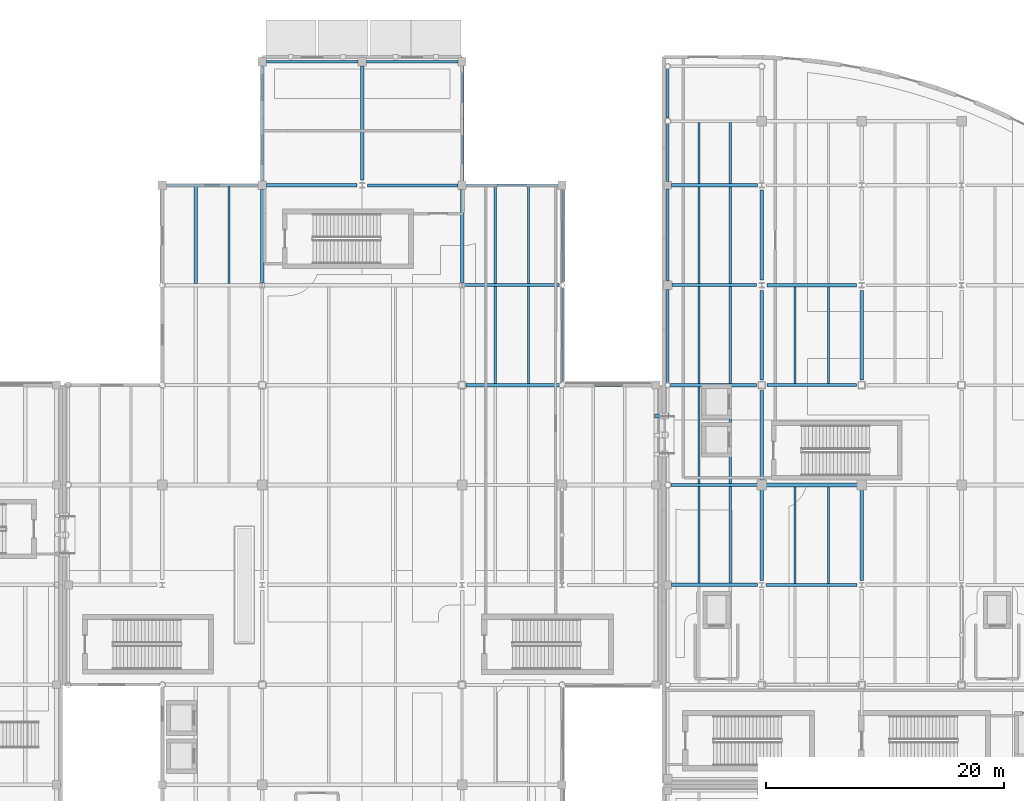
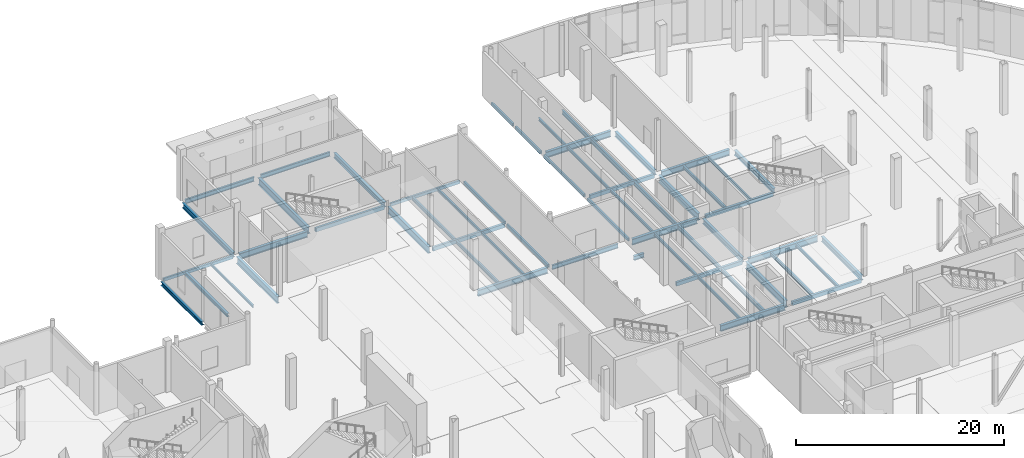
# One storey, part 23 of 85: 57 beams.
"""IFC4 building model written with IfcOpenShell, lengths in metres."""

from ifc_helpers import new_model, si_unit, direction, frame, origin, origin_2d, place, context, subcontext, project, spatial, hollow_rectangle, i_section, extrude, material, material_profile, profile_set, type_object, element, save


model = new_model("IFC4")

# Units and contexts
model_context = context("Model", 3, precision=1e-05, world=origin(), true_north=direction((0.0, 1.0)))
body_context = subcontext(model_context, "Body", "Model", "MODEL_VIEW")
ifc_project = project(units=[si_unit("LENGTHUNIT", "METRE"), si_unit("AREAUNIT", "SQUARE_METRE"), si_unit("VOLUMEUNIT", "CUBIC_METRE"), si_unit("PLANEANGLEUNIT", "RADIAN"), si_unit("MASSUNIT", "GRAM", prefix="KILO"), si_unit("THERMODYNAMICTEMPERATUREUNIT", "KELVIN")], contexts=[model_context])

# Site, building, storey
site_placement = place(None, origin())
site = spatial("IfcSite", under=ifc_project, at=site_placement, CompositionType="ELEMENT")
building_placement = place(site_placement, origin())
building = spatial("IfcBuilding", under=site, at=building_placement, Name="Lustrewick Department Store", CompositionType="ELEMENT")
storey_placement = place(building_placement, origin())
storey = spatial("IfcBuildingStorey", under=building, at=storey_placement, Name="L01", CompositionType="ELEMENT", Elevation=0.0)

# Beams
ifc_material_1 = material(Name="Structural steel Q355B", Category="steel")
ifc_material_profile_1 = material_profile(ifc_material_1, i_section(OverallWidth=0.199951171875, OverallDepth=0.5, WebThickness=0.010009765625, FlangeThickness=0.01611328125, FilletRadius=0.01611328125, at=origin_2d()), Name="HN 500x200x10x16")
ifc_profile_set_1 = profile_set([ifc_material_profile_1], Name="Structural steel Q355B")
beam_type_1 = type_object("IfcBeamType", Name="B01", PredefinedType="JOIST", material=ifc_profile_set_1)
for number, where, z_axis, x_axis, name in (
    (1, (114.966796875, 67.35009765625, -0.52001953125), (0.0, 1.0, 0.0), (-1.0, 0.0, 0.0), "L01 V4 Secondary Joist B01"),
    (2, (114.966796875, 75.72509765625, -0.52001953125), (0.0, 1.0, 0.0), (-1.0, 0.0, 0.0), "L01 V4 Secondary Joist B01"),
    (3, (114.966796875, 84.14990234375, -0.52001953125), (0.0, 1.0, 0.0), (-1.0, 0.0, 0.0), "L01 V4 Secondary Joist B01"),
):
    element("IfcBeam", number, at=place(storey_placement, frame(where, z_axis=z_axis, x_axis=x_axis)), inside=storey, type_object=beam_type_1, Name=name, PredefinedType="JOIST", context=body_context, shape_type="SweptSolid", body=[
        extrude(i_section(OverallWidth=0.199951171875, OverallDepth=0.5, WebThickness=0.010009765625, FlangeThickness=0.01611328125, FilletRadius=0.01611328125, at=origin_2d()), origin(), (0.0, 0.0, 1.0), 8.125),
    ])
beam_1_placement = place(storey_placement, frame((114.966796875, 92.52490234375, -0.52001953125), z_axis=(0.0, 1.0, 0.0), x_axis=(-1.0, 0.0, 0.0)))
element("IfcBeam", 4, at=beam_1_placement, inside=storey, type_object=beam_type_1, Name="L01 V4 Secondary Joist B01", PredefinedType="JOIST", context=body_context, shape_type="SweptSolid", body=[
    extrude(i_section(OverallWidth=0.199951171875, OverallDepth=0.5, WebThickness=0.010009765625, FlangeThickness=0.01611328125, FilletRadius=0.01611328125, at=origin_2d()), origin(), (0.0, 0.0, 1.0), 8.1240234375),
])
beam_2_placement = place(storey_placement, frame((114.966796875, 100.950927734375, -0.52001953125), z_axis=(0.0, 1.0, 0.0), x_axis=(-1.0, 0.0, 0.0)))
element("IfcBeam", 5, at=beam_2_placement, inside=storey, type_object=beam_type_1, Name="L01 V4 Secondary Joist B01", PredefinedType="JOIST", context=body_context, shape_type="SweptSolid", body=[
    extrude(i_section(OverallWidth=0.199951171875, OverallDepth=0.5, WebThickness=0.010009765625, FlangeThickness=0.01611328125, FilletRadius=0.01611328125, at=origin_2d()), origin(), (0.0, 0.0, 1.0), 5.148681640625),
])
ifc_material_profile_2 = material_profile(ifc_material_1, i_section(OverallWidth=0.199951171875, OverallDepth=0.39990234375, WebThickness=0.008056640625, FlangeThickness=0.012939453125, FilletRadius=0.013916015625, at=origin_2d()), Name="HN 400x200x8x13")
ifc_profile_set_2 = profile_set([ifc_material_profile_2], Name="Structural steel Q355B")
beam_type_2 = type_object("IfcBeamType", Name="B05", PredefinedType="JOIST", material=ifc_profile_set_2)
for number, where, z_axis, x_axis, name in (
    (6, (120.39990234375, 67.324951171875, -0.469970703125), (0.0, 1.0, 0.0), (-1.0, 0.0, 0.0), "L01 V4 Secondary Joist B05"),
    (7, (120.39990234375, 84.125, -0.469970703125), (0.0, 1.0, 0.0), (-1.0, 0.0, 0.0), "L01 V4 Secondary Joist B05"),
):
    element("IfcBeam", number, at=place(storey_placement, frame(where, z_axis=z_axis, x_axis=x_axis)), inside=storey, type_object=beam_type_2, Name=name, PredefinedType="JOIST", context=body_context, shape_type="SweptSolid", body=[
        extrude(i_section(OverallWidth=0.199951171875, OverallDepth=0.39990234375, WebThickness=0.008056640625, FlangeThickness=0.012939453125, FilletRadius=0.013916015625, at=origin_2d()), origin(), (0.0, 0.0, 1.0), 8.1240234375),
    ])
ifc_material_profile_3 = material_profile(ifc_material_1, i_section(OverallWidth=0.198974609375, OverallDepth=0.39599609375, WebThickness=0.007080078125, FlangeThickness=0.010986328125, FilletRadius=0.013916015625, at=origin_2d()), Name="HN 396x199x7x11")
ifc_profile_set_3 = profile_set([ifc_material_profile_3], Name="Structural steel Q355B")
beam_type_3 = type_object("IfcBeamType", Name="B06", PredefinedType="JOIST", material=ifc_profile_set_3)
beam_3_placement = place(storey_placement, frame((95.199951171875, 84.15087890625, -0.468017578125), z_axis=(0.0, 1.0, 0.0), x_axis=(-1.0, 0.0, 0.0)))
element("IfcBeam", 8, at=beam_3_placement, inside=storey, type_object=beam_type_3, Name="L01 V2 Secondary Joist B06", PredefinedType="JOIST", context=body_context, shape_type="SweptSolid", body=[
    extrude(i_section(OverallWidth=0.198974609375, OverallDepth=0.39599609375, WebThickness=0.007080078125, FlangeThickness=0.010986328125, FilletRadius=0.013916015625, at=origin_2d()), origin(), (0.0, 0.0, 1.0), 8.1240234375),
])
beam_4_placement = place(storey_placement, frame((95.199951171875, 92.52490234375, -0.468017578125), z_axis=(0.0, 1.0, 0.0), x_axis=(-1.0, 0.0, 0.0)))
element("IfcBeam", 9, at=beam_4_placement, inside=storey, type_object=beam_type_3, Name="L01 V2 Secondary Joist B06", PredefinedType="JOIST", context=body_context, shape_type="SweptSolid", body=[
    extrude(i_section(OverallWidth=0.198974609375, OverallDepth=0.39599609375, WebThickness=0.007080078125, FlangeThickness=0.010986328125, FilletRadius=0.013916015625, at=origin_2d()), origin(), (0.0, 0.0, 1.0), 8.175048828125),
])
ifc_material_profile_4 = material_profile(ifc_material_1, i_section(OverallWidth=0.300048828125, OverallDepth=0.389892578125, WebThickness=0.010009765625, FlangeThickness=0.01611328125, FilletRadius=0.01806640625, at=origin_2d()), Name="HM 390x300x10x16")
ifc_profile_set_4 = profile_set([ifc_material_profile_4], Name="Structural steel Q355B")
beam_type_4 = type_object("IfcBeamType", Name="B07", PredefinedType="JOIST", material=ifc_profile_set_4)
beam_5_placement = place(storey_placement, frame((70.0, 92.550048828125, -0.465087890625), z_axis=(0.0, 1.0, 0.0), x_axis=(-1.0, 0.0, 0.0)))
element("IfcBeam", 10, at=beam_5_placement, inside=storey, type_object=beam_type_4, Name="L01 V2 Secondary Joist B07", PredefinedType="JOIST", context=body_context, shape_type="SweptSolid", body=[
    extrude(i_section(OverallWidth=0.300048828125, OverallDepth=0.389892578125, WebThickness=0.010009765625, FlangeThickness=0.01611328125, FilletRadius=0.01806640625, at=origin_2d()), origin(), (0.0, 0.0, 1.0), 8.14990234375),
])
ifc_material_profile_5 = material_profile(ifc_material_1, i_section(OverallWidth=0.175048828125, OverallDepth=0.35009765625, WebThickness=0.007080078125, FlangeThickness=0.010986328125, FilletRadius=0.012939453125, at=origin_2d()), Name="HN 350x175x7x11")
ifc_profile_set_5 = profile_set([ifc_material_profile_5], Name="Structural steel Q355B")
beam_type_5 = type_object("IfcBeamType", Name="B09", PredefinedType="JOIST", material=ifc_profile_set_5)
for number, where, z_axis, x_axis, name in (
    (11, (123.199951171875, 67.324951171875, -0.445068359375), (0.0, 1.0, 0.0), (-1.0, 0.0, 0.0), "L01 V4 Secondary Joist B09"),
    (12, (123.199951171875, 84.125, -0.445068359375), (0.0, 1.0, 0.0), (-1.0, 0.0, 0.0), "L01 V4 Secondary Joist B09"),
):
    element("IfcBeam", number, at=place(storey_placement, frame(where, z_axis=z_axis, x_axis=x_axis)), inside=storey, type_object=beam_type_5, Name=name, PredefinedType="JOIST", context=body_context, shape_type="SweptSolid", body=[
        extrude(i_section(OverallWidth=0.175048828125, OverallDepth=0.35009765625, WebThickness=0.007080078125, FlangeThickness=0.010986328125, FilletRadius=0.012939453125, at=origin_2d()), origin(), (0.0, 0.0, 1.0), 8.1240234375),
    ])
ifc_material_profile_6 = material_profile(ifc_material_1, i_section(OverallWidth=0.174072265625, OverallDepth=0.345947265625, WebThickness=0.006103515625, FlangeThickness=0.009033203125, FilletRadius=0.012939453125, at=origin_2d()), Name="HN 346x174x6x9")
ifc_profile_set_6 = profile_set([ifc_material_profile_6], Name="Structural steel Q355B")
beam_type_6 = type_object("IfcBeamType", Name="B10", PredefinedType="JOIST", material=ifc_profile_set_6)
beam_6_placement = place(storey_placement, frame((98.0, 84.15087890625, -0.443115234375), z_axis=(0.0, 1.0, 0.0), x_axis=(-1.0, 0.0, 0.0)))
element("IfcBeam", 13, at=beam_6_placement, inside=storey, type_object=beam_type_6, Name="L01 V2 Secondary Joist B10", PredefinedType="JOIST", context=body_context, shape_type="SweptSolid", body=[
    extrude(i_section(OverallWidth=0.174072265625, OverallDepth=0.345947265625, WebThickness=0.006103515625, FlangeThickness=0.009033203125, FilletRadius=0.012939453125, at=origin_2d()), origin(), (0.0, 0.0, 1.0), 8.1240234375),
])
beam_7_placement = place(storey_placement, frame((98.0, 92.52490234375, -0.443115234375), z_axis=(0.0, 1.0, 0.0), x_axis=(-1.0, 0.0, 0.0)))
element("IfcBeam", 14, at=beam_7_placement, inside=storey, type_object=beam_type_6, Name="L01 V2 Secondary Joist B10", PredefinedType="JOIST", context=body_context, shape_type="SweptSolid", body=[
    extrude(i_section(OverallWidth=0.174072265625, OverallDepth=0.345947265625, WebThickness=0.006103515625, FlangeThickness=0.009033203125, FilletRadius=0.012939453125, at=origin_2d()), origin(), (0.0, 0.0, 1.0), 8.175048828125),
])
for number, where, z_axis, x_axis, name in (
    (15, (112.333251953125, 67.35009765625, -0.443115234375), (0.0, 1.0, 0.0), (-1.0, 0.0, 0.0), "L01 V4 Secondary Joist B10"),
    (16, (112.333251953125, 75.72509765625, -0.443115234375), (0.0, 1.0, 0.0), (-1.0, 0.0, 0.0), "L01 V4 Secondary Joist B10"),
    (17, (112.333251953125, 84.14990234375, -0.443115234375), (0.0, 1.0, 0.0), (-1.0, 0.0, 0.0), "L01 V4 Secondary Joist B10"),
):
    element("IfcBeam", number, at=place(storey_placement, frame(where, z_axis=z_axis, x_axis=x_axis)), inside=storey, type_object=beam_type_6, Name=name, PredefinedType="JOIST", context=body_context, shape_type="SweptSolid", body=[
        extrude(i_section(OverallWidth=0.174072265625, OverallDepth=0.345947265625, WebThickness=0.006103515625, FlangeThickness=0.009033203125, FilletRadius=0.012939453125, at=origin_2d()), origin(), (0.0, 0.0, 1.0), 8.125),
    ])
beam_8_placement = place(storey_placement, frame((112.333251953125, 92.52490234375, -0.443115234375), z_axis=(0.0, 1.0, 0.0), x_axis=(-1.0, 0.0, 0.0)))
element("IfcBeam", 18, at=beam_8_placement, inside=storey, type_object=beam_type_6, Name="L01 V4 Secondary Joist B10", PredefinedType="JOIST", context=body_context, shape_type="SweptSolid", body=[
    extrude(i_section(OverallWidth=0.174072265625, OverallDepth=0.345947265625, WebThickness=0.006103515625, FlangeThickness=0.009033203125, FilletRadius=0.012939453125, at=origin_2d()), origin(), (0.0, 0.0, 1.0), 8.1240234375),
])
beam_9_placement = place(storey_placement, frame((112.333251953125, 100.950927734375, -0.443115234375), z_axis=(0.0, 1.0, 0.0), x_axis=(-1.0, 0.0, 0.0)))
element("IfcBeam", 19, at=beam_9_placement, inside=storey, type_object=beam_type_6, Name="L01 V4 Secondary Joist B10", PredefinedType="JOIST", context=body_context, shape_type="SweptSolid", body=[
    extrude(i_section(OverallWidth=0.174072265625, OverallDepth=0.345947265625, WebThickness=0.006103515625, FlangeThickness=0.009033203125, FilletRadius=0.012939453125, at=origin_2d()), origin(), (0.0, 0.0, 1.0), 5.148681640625),
])
ifc_material_profile_7 = material_profile(ifc_material_1, i_section(OverallWidth=0.14990234375, OverallDepth=0.300048828125, WebThickness=0.006591796875, FlangeThickness=0.009033203125, FilletRadius=0.011962890625, at=origin_2d()), Name="HN 300x150x6.5x9")
ifc_profile_set_7 = profile_set([ifc_material_profile_7], Name="Structural steel Q355B")
beam_type_7 = type_object("IfcBeamType", Name="B11", PredefinedType="JOIST", material=ifc_profile_set_7)
beam_10_placement = place(storey_placement, frame((72.800048828125, 92.550048828125, -0.419921875), z_axis=(0.0, 1.0, 0.0), x_axis=(-1.0, 0.0, 0.0)))
element("IfcBeam", 20, at=beam_10_placement, inside=storey, type_object=beam_type_7, Name="L01 V2 Secondary Joist B11", PredefinedType="JOIST", context=body_context, shape_type="SweptSolid", body=[
    extrude(i_section(OverallWidth=0.14990234375, OverallDepth=0.300048828125, WebThickness=0.006591796875, FlangeThickness=0.009033203125, FilletRadius=0.011962890625, at=origin_2d()), origin(), (0.0, 0.0, 1.0), 8.14990234375),
])
ifc_material_2 = material(Name="Structural steel Q355C", Category="steel")
ifc_material_profile_8 = material_profile(ifc_material_2, i_section(OverallWidth=0.302001953125, OverallDepth=0.80810546875, WebThickness=0.01611328125, FlangeThickness=0.030029296875, FilletRadius=0.02197265625, at=origin_2d()), Name="HN 808x302x16x30")
ifc_profile_set_8 = profile_set([ifc_material_profile_8], Name="Structural steel Q355C")
beam_type_8 = type_object("IfcBeamType", Name="G04", PredefinedType="BEAM", material=ifc_profile_set_8)
beam_11_placement = place(storey_placement, frame((75.60009765625, 92.614013671875, -0.674072265625), z_axis=(0.0, 1.0, 0.0), x_axis=(-1.0, 0.0, 0.0)))
element("IfcBeam", 21, at=beam_11_placement, inside=storey, type_object=beam_type_8, Name="L01 V2 Girder G04", PredefinedType="BEAM", context=body_context, shape_type="SweptSolid", body=[
    extrude(i_section(OverallWidth=0.302001953125, OverallDepth=0.80810546875, WebThickness=0.01611328125, FlangeThickness=0.030029296875, FilletRadius=0.02197265625, at=origin_2d()), origin(), (0.0, 0.0, 1.0), 7.8359375),
])
beam_12_placement = place(storey_placement, frame((84.0, 101.25, -0.674072265625), z_axis=(0.0, 1.0, 0.0), x_axis=(-1.0, 0.0, 0.0)))
element("IfcBeam", 22, at=beam_12_placement, inside=storey, type_object=beam_type_8, Name="L01 V2 Girder G04", PredefinedType="BEAM", context=body_context, shape_type="SweptSolid", body=[
    extrude(i_section(OverallWidth=0.302001953125, OverallDepth=0.80810546875, WebThickness=0.01611328125, FlangeThickness=0.030029296875, FilletRadius=0.02197265625, at=origin_2d()), origin(), (0.0, 0.0, 1.0), 9.60009765625),
])
beam_13_placement = place(storey_placement, frame((92.39990234375, 92.614013671875, -0.674072265625), z_axis=(0.0, 1.0, 0.0), x_axis=(-1.0, 0.0, 0.0)))
element("IfcBeam", 23, at=beam_13_placement, inside=storey, type_object=beam_type_8, Name="L01 V2 Girder G04", PredefinedType="BEAM", context=body_context, shape_type="SweptSolid", body=[
    extrude(i_section(OverallWidth=0.302001953125, OverallDepth=0.80810546875, WebThickness=0.01611328125, FlangeThickness=0.030029296875, FilletRadius=0.02197265625, at=origin_2d()), origin(), (0.0, 0.0, 1.0), 7.8359375),
])
beam_14_placement = place(storey_placement, frame((117.60009765625, 67.574951171875, -0.674072265625), z_axis=(0.0, 1.0, 0.0), x_axis=(-1.0, 0.0, 0.0)))
element("IfcBeam", 24, at=beam_14_placement, inside=storey, type_object=beam_type_8, Name="L01 V4 Girder G04", PredefinedType="BEAM", context=body_context, shape_type="SweptSolid", body=[
    extrude(i_section(OverallWidth=0.302001953125, OverallDepth=0.80810546875, WebThickness=0.01611328125, FlangeThickness=0.030029296875, FilletRadius=0.02197265625, at=origin_2d()), origin(), (0.0, 0.0, 1.0), 7.675048828125),
])
beam_15_placement = place(storey_placement, frame((117.60009765625, 84.449951171875, -0.674072265625), z_axis=(0.0, 1.0, 0.0), x_axis=(-1.0, 0.0, 0.0)))
element("IfcBeam", 25, at=beam_15_placement, inside=storey, type_object=beam_type_8, Name="L01 V4 Girder G04", PredefinedType="BEAM", context=body_context, shape_type="SweptSolid", body=[
    extrude(i_section(OverallWidth=0.302001953125, OverallDepth=0.80810546875, WebThickness=0.01611328125, FlangeThickness=0.030029296875, FilletRadius=0.02197265625, at=origin_2d()), origin(), (0.0, 0.0, 1.0), 7.525146484375),
])
ifc_material_profile_9 = material_profile(ifc_material_2, i_section(OverallWidth=0.302001953125, OverallDepth=0.7080078125, WebThickness=0.014892578125, FlangeThickness=0.028076171875, FilletRadius=0.02001953125, at=origin_2d()), Name="HN 708x302x15x28")
ifc_profile_set_9 = profile_set([ifc_material_profile_9], Name="Structural steel Q355C")
beam_type_9 = type_object("IfcBeamType", Name="G07", PredefinedType="BEAM", material=ifc_profile_set_9)
beam_16_placement = place(storey_placement, frame((92.75, 84.0, -0.6240234375), z_axis=(1.0, 0.0, 0.0), x_axis=(0.0, 1.0, 0.0)))
element("IfcBeam", 26, at=beam_16_placement, inside=storey, type_object=beam_type_9, Name="L01 V2 Girder G07", PredefinedType="BEAM", context=body_context, shape_type="SweptSolid", body=[
    extrude(i_section(OverallWidth=0.302001953125, OverallDepth=0.7080078125, WebThickness=0.014892578125, FlangeThickness=0.028076171875, FilletRadius=0.02001953125, at=origin_2d()), origin(), (0.0, 0.0, 1.0), 7.7958984375),
])
beam_17_placement = place(storey_placement, frame((75.949951171875, 100.800048828125, -0.6240234375), z_axis=(1.0, 0.0, 0.0), x_axis=(0.0, 1.0, 0.0)))
element("IfcBeam", 27, at=beam_17_placement, inside=storey, type_object=beam_type_9, Name="L01 V2 Girder G07", PredefinedType="BEAM", context=body_context, shape_type="SweptSolid", body=[
    extrude(i_section(OverallWidth=0.302001953125, OverallDepth=0.7080078125, WebThickness=0.014892578125, FlangeThickness=0.028076171875, FilletRadius=0.02001953125, at=origin_2d()), origin(), (0.0, 0.0, 1.0), 7.60009765625),
])
beam_18_placement = place(storey_placement, frame((117.949951171875, 75.60009765625, -0.6240234375), z_axis=(1.0, 0.0, 0.0), x_axis=(0.0, 1.0, 0.0)))
element("IfcBeam", 28, at=beam_18_placement, inside=storey, type_object=beam_type_9, Name="L01 V4 Girder G07", PredefinedType="BEAM", context=body_context, shape_type="SweptSolid", body=[
    extrude(i_section(OverallWidth=0.302001953125, OverallDepth=0.7080078125, WebThickness=0.014892578125, FlangeThickness=0.028076171875, FilletRadius=0.02001953125, at=origin_2d()), origin(), (0.0, 0.0, 1.0), 7.699951171875),
])
beam_19_placement = place(storey_placement, frame((118.02490234375, 92.39990234375, -0.6240234375), z_axis=(1.0, 0.0, 0.0), x_axis=(0.0, 1.0, 0.0)))
element("IfcBeam", 29, at=beam_19_placement, inside=storey, type_object=beam_type_9, Name="L01 V4 Girder G07", PredefinedType="BEAM", context=body_context, shape_type="SweptSolid", body=[
    extrude(i_section(OverallWidth=0.302001953125, OverallDepth=0.7080078125, WebThickness=0.014892578125, FlangeThickness=0.028076171875, FilletRadius=0.02001953125, at=origin_2d()), origin(), (0.0, 0.0, 1.0), 7.550048828125),
])
beam_20_placement = place(storey_placement, frame((110.02490234375, 100.800048828125, -0.6240234375), z_axis=(1.0, 0.0, 0.0), x_axis=(0.0, 1.0, 0.0)))
element("IfcBeam", 30, at=beam_20_placement, inside=storey, type_object=beam_type_9, Name="L01 V4 Girder G07", PredefinedType="BEAM", context=body_context, shape_type="SweptSolid", body=[
    extrude(i_section(OverallWidth=0.302001953125, OverallDepth=0.7080078125, WebThickness=0.014892578125, FlangeThickness=0.028076171875, FilletRadius=0.02001953125, at=origin_2d()), origin(), (0.0, 0.0, 1.0), 7.2001953125),
])
ifc_material_profile_10 = material_profile(ifc_material_1, i_section(OverallWidth=0.300048828125, OverallDepth=0.699951171875, WebThickness=0.012939453125, FlangeThickness=0.02392578125, FilletRadius=0.02001953125, at=origin_2d()), Name="HN 700x300x13x24")
ifc_profile_set_10 = profile_set([ifc_material_profile_10], Name="Structural steel Q355B")
beam_type_10 = type_object("IfcBeamType", Name="G08", PredefinedType="BEAM", material=ifc_profile_set_10)
beam_21_placement = place(storey_placement, frame((110.02490234375, 67.199951171875, -0.6201171875), z_axis=(1.0, 0.0, 0.0), x_axis=(0.0, 1.0, 0.0)))
element("IfcBeam", 31, at=beam_21_placement, inside=storey, type_object=beam_type_10, Name="L01 V4 Girder G08", PredefinedType="BEAM", context=body_context, shape_type="SweptSolid", body=[
    extrude(i_section(OverallWidth=0.300048828125, OverallDepth=0.699951171875, WebThickness=0.012939453125, FlangeThickness=0.02392578125, FilletRadius=0.02001953125, at=origin_2d()), origin(), (0.0, 0.0, 1.0), 7.2001953125),
])
beam_22_placement = place(storey_placement, frame((109.928466796875, 84.0, -0.6201171875), z_axis=(1.0, 0.0, 0.0), x_axis=(0.0, 1.0, 0.0)))
element("IfcBeam", 32, at=beam_22_placement, inside=storey, type_object=beam_type_10, Name="L01 V4 Girder G08", PredefinedType="BEAM", context=body_context, shape_type="SweptSolid", body=[
    extrude(i_section(OverallWidth=0.300048828125, OverallDepth=0.699951171875, WebThickness=0.012939453125, FlangeThickness=0.02392578125, FilletRadius=0.02001953125, at=origin_2d()), origin(), (0.0, 0.0, 1.0), 7.221435546875),
])
ifc_material_profile_11 = material_profile(ifc_material_1, i_section(OverallWidth=0.300048828125, OverallDepth=0.58203125, WebThickness=0.011962890625, FlangeThickness=0.01708984375, FilletRadius=0.02392578125, at=origin_2d()), Name="HM 582x300x12x17")
ifc_profile_set_11 = profile_set([ifc_material_profile_11], Name="Structural steel Q355B")
beam_type_11 = type_object("IfcBeamType", Name="G12", PredefinedType="BEAM", material=ifc_profile_set_11)
for number, where, z_axis, x_axis, name in (
    (33, (75.60009765625, 101.14990234375, -0.56103515625), (0.0, 1.0, 0.0), (-1.0, 0.0, 0.0), "L01 V2 Girder G12"),
    (34, (92.39990234375, 101.14990234375, -0.56103515625), (0.0, 1.0, 0.0), (-1.0, 0.0, 0.0), "L01 V2 Girder G12"),
):
    element("IfcBeam", number, at=place(storey_placement, frame(where, z_axis=z_axis, x_axis=x_axis)), inside=storey, type_object=beam_type_11, Name=name, PredefinedType="BEAM", context=body_context, shape_type="SweptSolid", body=[
        extrude(i_section(OverallWidth=0.300048828125, OverallDepth=0.58203125, WebThickness=0.011962890625, FlangeThickness=0.01708984375, FilletRadius=0.02392578125, at=origin_2d()), origin(), (0.0, 0.0, 1.0), 9.7001953125),
    ])
for number, where, z_axis, x_axis, name in (
    (35, (117.60009765625, 75.949951171875, -0.56103515625), (0.0, 1.0, 0.0), (-1.0, 0.0, 0.0), "L01 V4 Girder G12"),
    (36, (117.60009765625, 92.824951171875, -0.56103515625), (0.0, 1.0, 0.0), (-1.0, 0.0, 0.0), "L01 V4 Girder G12"),
):
    element("IfcBeam", number, at=place(storey_placement, frame(where, z_axis=z_axis, x_axis=x_axis)), inside=storey, type_object=beam_type_11, Name=name, PredefinedType="BEAM", context=body_context, shape_type="SweptSolid", body=[
        extrude(i_section(OverallWidth=0.300048828125, OverallDepth=0.58203125, WebThickness=0.011962890625, FlangeThickness=0.01708984375, FilletRadius=0.02392578125, at=origin_2d()), origin(), (0.0, 0.0, 1.0), 7.60009765625),
    ])
beam_23_placement = place(storey_placement, frame((126.0, 67.574951171875, -0.56103515625), z_axis=(0.0, 1.0, 0.0), x_axis=(-1.0, 0.0, 0.0)))
element("IfcBeam", 37, at=beam_23_placement, inside=storey, type_object=beam_type_11, Name="L01 V4 Girder G12", PredefinedType="BEAM", context=body_context, shape_type="SweptSolid", body=[
    extrude(i_section(OverallWidth=0.300048828125, OverallDepth=0.58203125, WebThickness=0.011962890625, FlangeThickness=0.01708984375, FilletRadius=0.02392578125, at=origin_2d()), origin(), (0.0, 0.0, 1.0), 7.675048828125),
])
beam_24_placement = place(storey_placement, frame((126.0, 84.449951171875, -0.56103515625), z_axis=(0.0, 1.0, 0.0), x_axis=(-1.0, 0.0, 0.0)))
element("IfcBeam", 38, at=beam_24_placement, inside=storey, type_object=beam_type_11, Name="L01 V4 Girder G12", PredefinedType="BEAM", context=body_context, shape_type="SweptSolid", body=[
    extrude(i_section(OverallWidth=0.300048828125, OverallDepth=0.58203125, WebThickness=0.011962890625, FlangeThickness=0.01708984375, FilletRadius=0.02392578125, at=origin_2d()), origin(), (0.0, 0.0, 1.0), 7.525146484375),
])
ifc_material_profile_12 = material_profile(ifc_material_1, i_section(OverallWidth=0.300048828125, OverallDepth=0.488037109375, WebThickness=0.010986328125, FlangeThickness=0.01806640625, FilletRadius=0.02197265625, at=origin_2d()), Name="HM 488x300x11x18")
ifc_profile_set_12 = profile_set([ifc_material_profile_12], Name="Structural steel Q355B")
beam_type_12 = type_object("IfcBeamType", Name="G16", PredefinedType="BEAM", material=ifc_profile_set_12)
beam_25_placement = place(storey_placement, frame((108.60009765625, 81.39990234375, -0.4990234375), z_axis=(1.0, 0.0, 0.0), x_axis=(0.0, 1.0, 0.0)))
element("IfcBeam", 39, at=beam_25_placement, inside=storey, type_object=beam_type_12, Name="L01 Skybridge SB24 Girder 2", PredefinedType="BEAM", context=body_context, shape_type="SweptSolid", body=[
    extrude(i_section(OverallWidth=0.300048828125, OverallDepth=0.488037109375, WebThickness=0.010986328125, FlangeThickness=0.01806640625, FilletRadius=0.02197265625, at=origin_2d()), origin(), (0.0, 0.0, 1.0), 1.139892578125),
])
ifc_material_profile_13 = material_profile(ifc_material_2, hollow_rectangle(XDim=0.25, YDim=0.449951171875, WallThickness=0.013916015625, at=origin_2d()), Name="RHS 450x250x14")
ifc_profile_set_13 = profile_set([ifc_material_profile_13], Name="Structural steel Q355C")
beam_type_13 = type_object("IfcBeamType", Name="G18", PredefinedType="BEAM", material=ifc_profile_set_13)
beam_26_placement = place(storey_placement, frame((92.603515625, 92.39990234375, -0.4951171875), z_axis=(1.0, 0.0, 0.0), x_axis=(0.0, 1.0, 0.0)))
element("IfcBeam", 40, at=beam_26_placement, inside=storey, type_object=beam_type_13, Name="L01 V2 Girder G18", PredefinedType="BEAM", context=body_context, shape_type="SweptSolid", body=[
    extrude(hollow_rectangle(XDim=0.25, YDim=0.449951171875, WallThickness=0.013916015625, at=origin_2d()), origin(), (0.0, 0.0, 1.0), 7.968017578125),
])
beam_27_placement = place(storey_placement, frame((84.449951171875, 100.800048828125, -0.4951171875), z_axis=(1.0, 0.0, 0.0), x_axis=(0.0, 1.0, 0.0)))
element("IfcBeam", 41, at=beam_27_placement, inside=storey, type_object=beam_type_13, Name="L01 V2 Girder G18", PredefinedType="BEAM", context=body_context, shape_type="SweptSolid", body=[
    extrude(hollow_rectangle(XDim=0.25, YDim=0.449951171875, WallThickness=0.013916015625, at=origin_2d()), origin(), (0.0, 0.0, 1.0), 7.60009765625),
])
beam_28_placement = place(storey_placement, frame((117.97509765625, 67.199951171875, -0.4951171875), z_axis=(1.0, 0.0, 0.0), x_axis=(0.0, 1.0, 0.0)))
element("IfcBeam", 42, at=beam_28_placement, inside=storey, type_object=beam_type_13, Name="L01 V4 Girder G18", PredefinedType="BEAM", context=body_context, shape_type="SweptSolid", body=[
    extrude(hollow_rectangle(XDim=0.25, YDim=0.449951171875, WallThickness=0.013916015625, at=origin_2d()), origin(), (0.0, 0.0, 1.0), 7.64990234375),
])
beam_29_placement = place(storey_placement, frame((109.9541015625, 75.60009765625, -0.4951171875), z_axis=(1.0, 0.0, 0.0), x_axis=(0.0, 1.0, 0.0)))
element("IfcBeam", 43, at=beam_29_placement, inside=storey, type_object=beam_type_13, Name="L01 V4 Girder G18", PredefinedType="BEAM", context=body_context, shape_type="SweptSolid", body=[
    extrude(hollow_rectangle(XDim=0.25, YDim=0.449951171875, WallThickness=0.013916015625, at=origin_2d()), origin(), (0.0, 0.0, 1.0), 7.2958984375),
])
beam_30_placement = place(storey_placement, frame((118.050048828125, 84.0, -0.4951171875), z_axis=(1.0, 0.0, 0.0), x_axis=(0.0, 1.0, 0.0)))
element("IfcBeam", 44, at=beam_30_placement, inside=storey, type_object=beam_type_13, Name="L01 V4 Girder G18", PredefinedType="BEAM", context=body_context, shape_type="SweptSolid", body=[
    extrude(hollow_rectangle(XDim=0.25, YDim=0.449951171875, WallThickness=0.013916015625, at=origin_2d()), origin(), (0.0, 0.0, 1.0), 7.5),
])
beam_31_placement = place(storey_placement, frame((110.050048828125, 92.39990234375, -0.4951171875), z_axis=(1.0, 0.0, 0.0), x_axis=(0.0, 1.0, 0.0)))
element("IfcBeam", 45, at=beam_31_placement, inside=storey, type_object=beam_type_13, Name="L01 V4 Girder G18", PredefinedType="BEAM", context=body_context, shape_type="SweptSolid", body=[
    extrude(hollow_rectangle(XDim=0.25, YDim=0.449951171875, WallThickness=0.013916015625, at=origin_2d()), origin(), (0.0, 0.0, 1.0), 7.125),
])
ifc_material_profile_14 = material_profile(ifc_material_1, i_section(OverallWidth=0.200927734375, OverallDepth=0.506103515625, WebThickness=0.010986328125, FlangeThickness=0.01904296875, FilletRadius=0.01611328125, at=origin_2d()), Name="HN 506x201x11x19")
ifc_profile_set_14 = profile_set([ifc_material_profile_14], Name="Structural steel Q355B")
beam_type_14 = type_object("IfcBeamType", Name="SP01", PredefinedType="SPANDREL", material=ifc_profile_set_14)
beam_32_placement = place(storey_placement, frame((101.053955078125, 84.0, -0.52294921875), z_axis=(1.0, 0.0, 0.0), x_axis=(0.0, 1.0, 0.0)))
element("IfcBeam", 46, at=beam_32_placement, inside=storey, type_object=beam_type_14, Name="L01 V2 Girder SP01", PredefinedType="SPANDREL", context=body_context, shape_type="SweptSolid", body=[
    extrude(i_section(OverallWidth=0.200927734375, OverallDepth=0.506103515625, WebThickness=0.010986328125, FlangeThickness=0.01904296875, FilletRadius=0.01611328125, at=origin_2d()), origin(), (0.0, 0.0, 1.0), 7.321044921875),
])
for number, where, z_axis, x_axis, name in (
    (47, (75.949951171875, 111.199951171875, -0.52294921875), (1.0, 0.0, 0.0), (0.0, 1.0, 0.0), "L01 V2 Girder SP01"),
    (48, (84.35009765625, 111.199951171875, -0.52294921875), (1.0, 0.0, 0.0), (0.0, 1.0, 0.0), "L01 V2 Girder SP01"),
):
    element("IfcBeam", number, at=place(storey_placement, frame(where, z_axis=z_axis, x_axis=x_axis)), inside=storey, type_object=beam_type_14, Name=name, PredefinedType="SPANDREL", context=body_context, shape_type="SweptSolid", body=[
        extrude(i_section(OverallWidth=0.200927734375, OverallDepth=0.506103515625, WebThickness=0.010986328125, FlangeThickness=0.01904296875, FilletRadius=0.01611328125, at=origin_2d()), origin(), (0.0, 0.0, 1.0), 7.699951171875),
    ])
ifc_material_profile_15 = material_profile(ifc_material_1, i_section(OverallWidth=0.300048828125, OverallDepth=0.43994140625, WebThickness=0.010986328125, FlangeThickness=0.01806640625, FilletRadius=0.02001953125, at=origin_2d()), Name="HM 440x300x11x18")
ifc_profile_set_15 = profile_set([ifc_material_profile_15], Name="Structural steel Q355B")
beam_type_15 = type_object("IfcBeamType", Name="SP02", PredefinedType="SPANDREL", material=ifc_profile_set_15)
beam_33_placement = place(storey_placement, frame((67.199951171875, 92.62841796875, -0.489990234375), z_axis=(0.0, 1.0, 0.0), x_axis=(-1.0, 0.0, 0.0)))
element("IfcBeam", 49, at=beam_33_placement, inside=storey, type_object=beam_type_15, Name="L01 V2 Girder SP02", PredefinedType="SPANDREL", context=body_context, shape_type="SweptSolid", body=[
    extrude(i_section(OverallWidth=0.300048828125, OverallDepth=0.43994140625, WebThickness=0.010986328125, FlangeThickness=0.01806640625, FilletRadius=0.02001953125, at=origin_2d()), origin(), (0.0, 0.0, 1.0), 7.821533203125),
])
ifc_material_profile_16 = material_profile(ifc_material_2, hollow_rectangle(XDim=0.199951171875, YDim=0.35009765625, WallThickness=0.011962890625, at=origin_2d()), Name="RHS 350x200x12")
ifc_profile_set_16 = profile_set([ifc_material_profile_16], Name="Structural steel Q355C")
beam_type_16 = type_object("IfcBeamType", Name="SP03", PredefinedType="SPANDREL", material=ifc_profile_set_16)
for number, where, z_axis, x_axis, name in (
    (50, (67.550048828125, 100.800048828125, -0.445068359375), (1.0, 0.0, 0.0), (0.0, 1.0, 0.0), "L01 V2 Girder SP03"),
    (51, (92.75, 100.800048828125, -0.445068359375), (1.0, 0.0, 0.0), (0.0, 1.0, 0.0), "L01 V2 Girder SP03"),
):
    element("IfcBeam", number, at=place(storey_placement, frame(where, z_axis=z_axis, x_axis=x_axis)), inside=storey, type_object=beam_type_16, Name=name, PredefinedType="SPANDREL", context=body_context, shape_type="SweptSolid", body=[
        extrude(hollow_rectangle(XDim=0.199951171875, YDim=0.35009765625, WallThickness=0.011962890625, at=origin_2d()), origin(), (0.0, 0.0, 1.0), 7.699951171875),
    ])
beam_34_placement = place(storey_placement, frame((100.800048828125, 84.25390625, -0.445068359375), z_axis=(0.0, 1.0, 0.0), x_axis=(-1.0, 0.0, 0.0)))
element("IfcBeam", 52, at=beam_34_placement, inside=storey, type_object=beam_type_16, Name="L01 V2 Girder SP03", PredefinedType="SPANDREL", context=body_context, shape_type="SweptSolid", body=[
    extrude(hollow_rectangle(XDim=0.199951171875, YDim=0.35009765625, WallThickness=0.011962890625, at=origin_2d()), origin(), (0.0, 0.0, 1.0), 7.91748046875),
])
for number, where, z_axis, x_axis, name in (
    (53, (100.800048828125, 92.62841796875, -0.445068359375), (0.0, 1.0, 0.0), (-1.0, 0.0, 0.0), "L01 V2 Girder SP03"),
    (54, (109.699951171875, 84.228515625, -0.445068359375), (0.0, 1.0, 0.0), (-1.0, 0.0, 0.0), "L01 V4 Girder SP03"),
):
    element("IfcBeam", number, at=place(storey_placement, frame(where, z_axis=z_axis, x_axis=x_axis)), inside=storey, type_object=beam_type_16, Name=name, PredefinedType="SPANDREL", context=body_context, shape_type="SweptSolid", body=[
        extrude(hollow_rectangle(XDim=0.199951171875, YDim=0.35009765625, WallThickness=0.011962890625, at=origin_2d()), origin(), (0.0, 0.0, 1.0), 7.821533203125),
    ])
beam_35_placement = place(storey_placement, frame((109.699951171875, 92.75, -0.445068359375), z_axis=(0.0, 1.0, 0.0), x_axis=(-1.0, 0.0, 0.0)))
element("IfcBeam", 55, at=beam_35_placement, inside=storey, type_object=beam_type_16, Name="L01 V4 Girder SP03", PredefinedType="SPANDREL", context=body_context, shape_type="SweptSolid", body=[
    extrude(hollow_rectangle(XDim=0.199951171875, YDim=0.35009765625, WallThickness=0.011962890625, at=origin_2d()), origin(), (0.0, 0.0, 1.0), 7.72509765625),
])
beam_36_placement = place(storey_placement, frame((109.699951171875, 101.125, -0.445068359375), z_axis=(0.0, 1.0, 0.0), x_axis=(-1.0, 0.0, 0.0)))
element("IfcBeam", 56, at=beam_36_placement, inside=storey, type_object=beam_type_16, Name="L01 V4 Girder SP03", PredefinedType="SPANDREL", context=body_context, shape_type="SweptSolid", body=[
    extrude(hollow_rectangle(XDim=0.199951171875, YDim=0.35009765625, WallThickness=0.011962890625, at=origin_2d()), origin(), (0.0, 0.0, 1.0), 4.821044921875),
])
beam_37_placement = place(storey_placement, frame((109.699951171875, 106.4541015625, -0.445068359375), z_axis=(0.0, 1.0, 0.0), x_axis=(-1.0, 0.0, 0.0)))
element("IfcBeam", 57, at=beam_37_placement, inside=storey, type_object=beam_type_16, Name="L01 V4 Girder SP03", PredefinedType="SPANDREL", context=body_context, shape_type="SweptSolid", body=[
    extrude(hollow_rectangle(XDim=0.199951171875, YDim=0.35009765625, WallThickness=0.011962890625, at=origin_2d()), origin(), (0.0, 0.0, 1.0), 4.117431640625),
])

save(model, "model.ifc")
